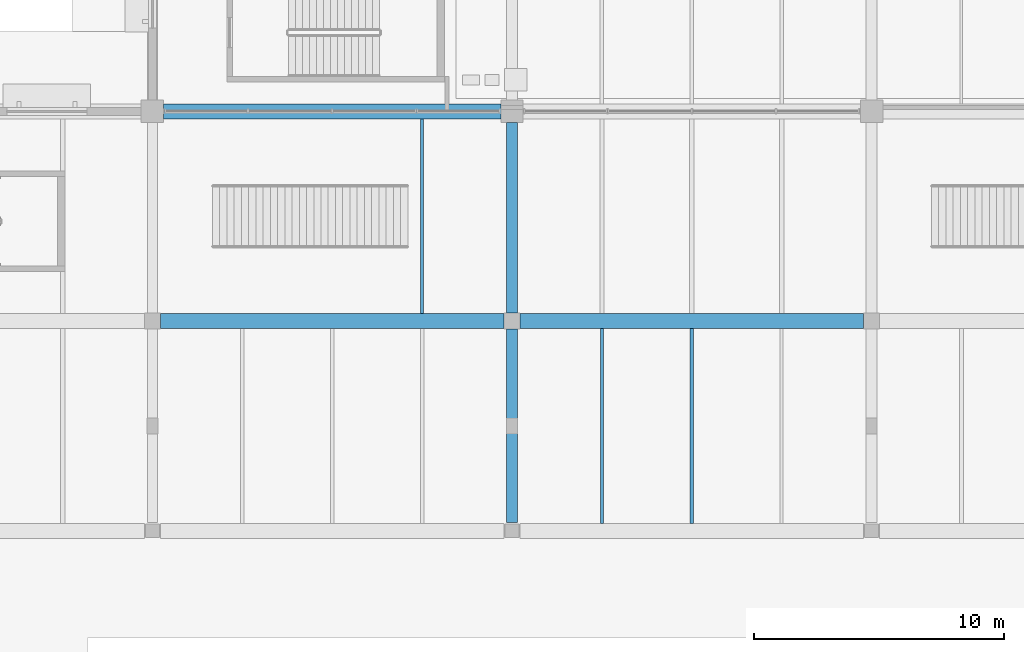
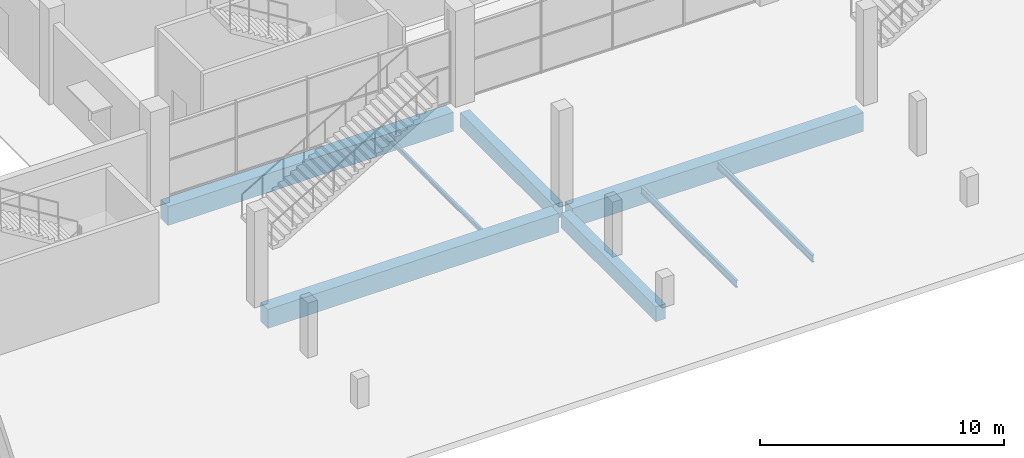
# One storey, part 41 of 130: 8 beams.
"""IFC4 building model written with IfcOpenShell, lengths in metres."""

from ifc_helpers import new_model, si_unit, direction, frame, origin, origin_2d, place, context, subcontext, project, spatial, rectangle, i_section, extrude, material, material_profile, profile_set, type_object, element, save


model = new_model("IFC4")

# Units and contexts
model_context = context("Model", 3, precision=1e-05, world=origin(), true_north=direction((0.0, 1.0)))
body_context = subcontext(model_context, "Body", "Model", "MODEL_VIEW")
ifc_project = project(units=[si_unit("LENGTHUNIT", "METRE"), si_unit("AREAUNIT", "SQUARE_METRE"), si_unit("VOLUMEUNIT", "CUBIC_METRE"), si_unit("PLANEANGLEUNIT", "RADIAN"), si_unit("MASSUNIT", "GRAM", prefix="KILO"), si_unit("THERMODYNAMICTEMPERATUREUNIT", "KELVIN")], contexts=[model_context])

# Site, building, storey
site_placement = place(None, origin())
site = spatial("IfcSite", under=ifc_project, at=site_placement, CompositionType="ELEMENT")
building_placement = place(site_placement, origin())
building = spatial("IfcBuilding", under=site, at=building_placement, Name="Nduvali Passage Aquatics Centre", CompositionType="ELEMENT")
storey_placement = place(building_placement, origin())
storey = spatial("IfcBuildingStorey", under=building, at=storey_placement, Name="L00", CompositionType="ELEMENT", Elevation=0.0)

# Beams
ifc_material_1 = material(Name="Concrete C40/50", Category="concrete")
ifc_material_profile_1 = material_profile(ifc_material_1, rectangle(XDim=0.449951171875, YDim=0.75, at=origin_2d()), Name="RC 450x750")
ifc_profile_set_1 = profile_set([ifc_material_profile_1], Name="Concrete C40/50")
beam_type_1 = type_object("IfcBeamType", Name="STR-BM-RC4575", PredefinedType="BEAM", material=ifc_profile_set_1)
beam_1_placement = place(storey_placement, frame((54.0, 75.925048828125, -0.695068359375), z_axis=(0.0, 1.0, 0.0), x_axis=(-1.0, 0.0, 0.0)))
element("IfcBeam", 1, at=beam_1_placement, inside=storey, type_object=beam_type_1, Name="L00 Primary Y-Girder B3-0146", PredefinedType="BEAM", context=body_context, shape_type="SweptSolid", body=[
    extrude(rectangle(XDim=0.449951171875, YDim=0.75, at=origin_2d()), origin(), (0.0, 0.0, 1.0), 7.75),
])
beam_2_placement = place(storey_placement, frame((54.0, 84.324951171875, -0.695068359375), z_axis=(0.0, 1.0, 0.0), x_axis=(-1.0, 0.0, 0.0)))
element("IfcBeam", 2, at=beam_2_placement, inside=storey, type_object=beam_type_1, Name="L00 Primary Y-Girder B3-0147", PredefinedType="BEAM", context=body_context, shape_type="SweptSolid", body=[
    extrude(rectangle(XDim=0.449951171875, YDim=0.75, at=origin_2d()), origin(), (0.0, 0.0, 1.0), 7.625),
])
ifc_material_profile_2 = material_profile(ifc_material_1, rectangle(XDim=0.60009765625, YDim=0.949951171875, at=origin_2d()), Name="RC 600x950")
ifc_profile_set_2 = profile_set([ifc_material_profile_2], Name="Concrete C40/50")
beam_type_2 = type_object("IfcBeamType", Name="STR-BM-RC6095", PredefinedType="BEAM", material=ifc_profile_set_2)
for number, where, z_axis, x_axis, name in (
    (3, (39.925048828125, 84.0, -0.794921875), (1.0, 0.0, 0.0), (0.0, 1.0, 0.0), "L00 Primary X-Girder B1-0076"),
    (4, (54.324951171875, 84.0, -0.794921875), (1.0, 0.0, 0.0), (0.0, 1.0, 0.0), "L00 Primary X-Girder B1-0077"),
):
    element("IfcBeam", number, at=place(storey_placement, frame(where, z_axis=z_axis, x_axis=x_axis)), inside=storey, type_object=beam_type_2, Name=name, PredefinedType="BEAM", context=body_context, shape_type="SweptSolid", body=[
        extrude(rectangle(XDim=0.60009765625, YDim=0.949951171875, at=origin_2d()), origin(), (0.0, 0.0, 1.0), 13.75),
    ])
ifc_material_profile_3 = material_profile(ifc_material_1, rectangle(XDim=0.60009765625, YDim=0.949951171875, at=origin_2d()), Name="RC 600x950")
ifc_profile_set_3 = profile_set([ifc_material_profile_3], Name="Concrete C40/50")
beam_type_3 = type_object("IfcBeamType", Name="STR-BM-RC6095-EXT", PredefinedType="BEAM", material=ifc_profile_set_3)
beam_3_placement = place(storey_placement, frame((40.050048828125, 92.39990234375, -0.794921875), z_axis=(1.0, 0.0, 0.0), x_axis=(0.0, 1.0, 0.0)))
element("IfcBeam", 5, at=beam_3_placement, inside=storey, type_object=beam_type_3, Name="L00 Primary X-Girder B1E-0086", PredefinedType="BEAM", context=body_context, shape_type="SweptSolid", body=[
    extrude(rectangle(XDim=0.60009765625, YDim=0.949951171875, at=origin_2d()), origin(), (0.0, 0.0, 1.0), 13.5),
])
ifc_material_2 = material(Name="Steel S355", Category="steel")
ifc_material_profile_4 = material_profile(ifc_material_2, i_section(OverallWidth=0.110107421875, OverallDepth=0.219970703125, WebThickness=0.005859375, FlangeThickness=0.00927734375, FilletRadius=0.011962890625, at=origin_2d()), Name="IPE 220")
ifc_profile_set_4 = profile_set([ifc_material_profile_4], Name="Steel S355")
beam_type_4 = type_object("IfcBeamType", Name="STR-JST-IPE220", PredefinedType="JOIST", material=ifc_profile_set_4)
beam_4_placement = place(storey_placement, frame((50.39990234375, 84.300048828125, -0.43408203125), z_axis=(0.0, 1.0, 0.0), x_axis=(-1.0, 0.0, 0.0)))
element("IfcBeam", 6, at=beam_4_placement, inside=storey, type_object=beam_type_4, Name="L00 Secondary Joist J9-0380", PredefinedType="JOIST", context=body_context, shape_type="SweptSolid", body=[
    extrude(i_section(OverallWidth=0.110107421875, OverallDepth=0.219970703125, WebThickness=0.005859375, FlangeThickness=0.00927734375, FilletRadius=0.011962890625, at=origin_2d()), origin(), (0.0, 0.0, 1.0), 7.800048828125),
])
ifc_material_profile_5 = material_profile(ifc_material_2, i_section(OverallWidth=0.1259765625, OverallDepth=0.353515625, WebThickness=0.006591796875, FlangeThickness=0.0107421875, FilletRadius=0.01025390625, at=origin_2d()), Name="UKB 356x127x39")
ifc_profile_set_5 = profile_set([ifc_material_profile_5], Name="Steel S355")
beam_type_5 = type_object("IfcBeamType", Name="STR-JST-UKB356L", PredefinedType="JOIST", material=ifc_profile_set_5)
for number, where, z_axis, x_axis, name in (
    (7, (57.60009765625, 75.89990234375, -0.500732421875), (0.0, 1.0, 0.0), (-1.0, 0.0, 0.0), "L00 Secondary Joist J2A-0367"),
    (8, (61.199951171875, 75.89990234375, -0.500732421875), (0.0, 1.0, 0.0), (-1.0, 0.0, 0.0), "L00 Secondary Joist J2A-0368"),
):
    element("IfcBeam", number, at=place(storey_placement, frame(where, z_axis=z_axis, x_axis=x_axis)), inside=storey, type_object=beam_type_5, Name=name, PredefinedType="JOIST", context=body_context, shape_type="SweptSolid", body=[
        extrude(i_section(OverallWidth=0.1259765625, OverallDepth=0.353515625, WebThickness=0.006591796875, FlangeThickness=0.0107421875, FilletRadius=0.01025390625, at=origin_2d()), origin(), (0.0, 0.0, 1.0), 7.800048828125),
    ])

save(model, "model.ifc")
